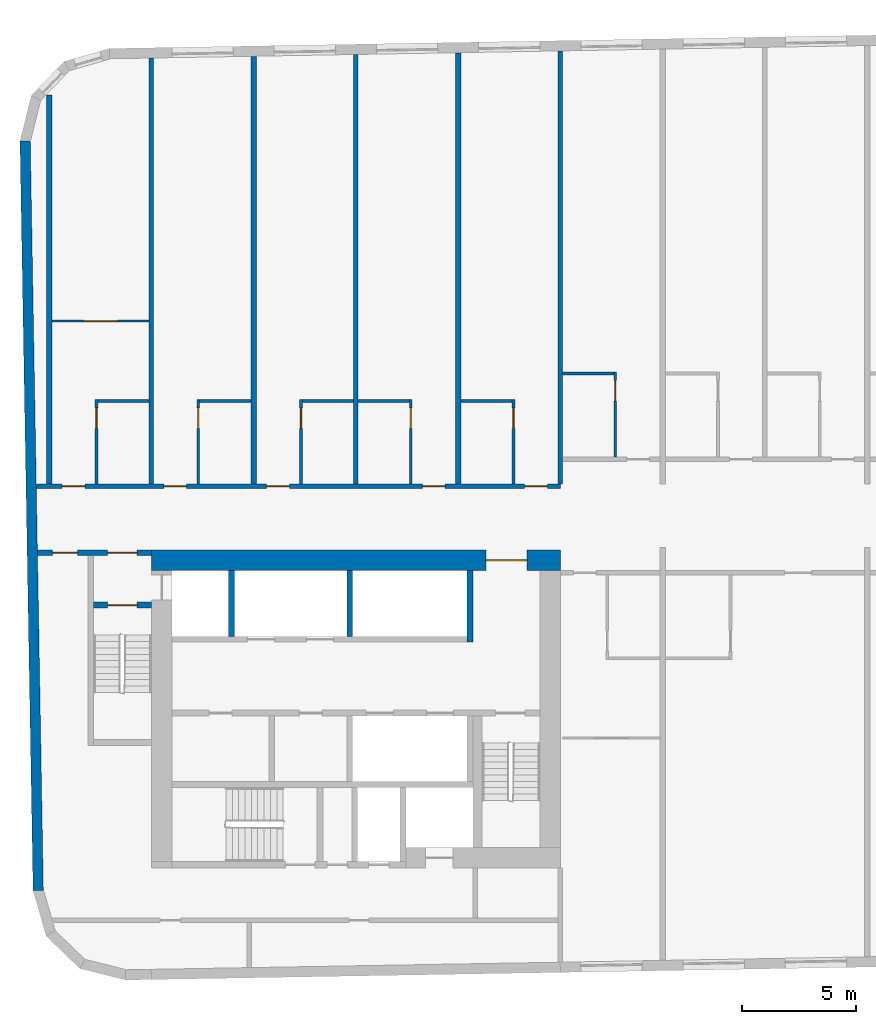
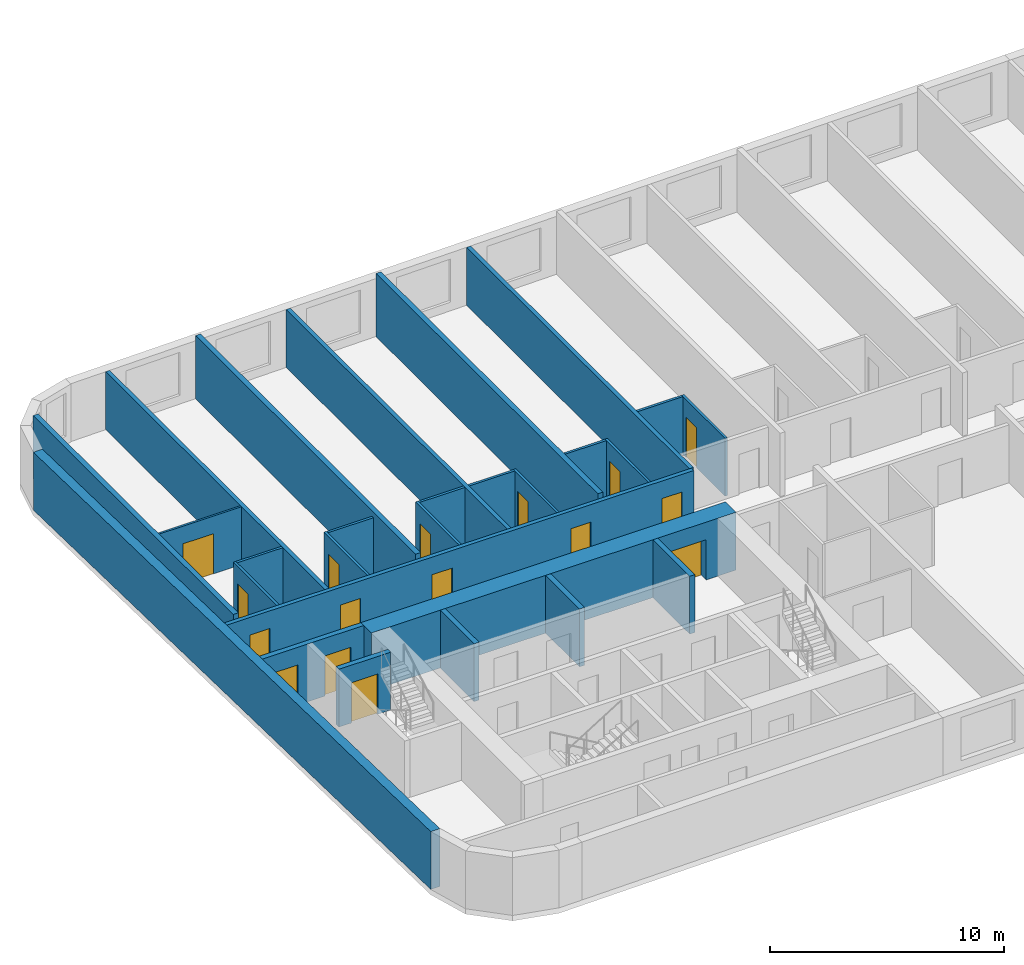
# One storey, part 3 of 11: 27 walls, 16 doors, 16 openings.
"""IFC4 building model written with IfcOpenShell, lengths in metres."""

from ifc_helpers import new_model, si_unit, direction, frame, frame_2d, origin, place, context, subcontext, project, spatial, rectangle, extrude, material, layer, layer_set, type_object, element, fill, save


model = new_model("IFC4")

# Units and contexts
model_context = context("Model", 3, precision=1e-05, world=origin(), true_north=direction((0.0, 1.0)))
body_context = subcontext(model_context, "Body", "Model", "MODEL_VIEW")
ifc_project = project(units=[si_unit("LENGTHUNIT", "METRE"), si_unit("AREAUNIT", "SQUARE_METRE"), si_unit("VOLUMEUNIT", "CUBIC_METRE"), si_unit("PLANEANGLEUNIT", "RADIAN"), si_unit("MASSUNIT", "GRAM", prefix="KILO")], contexts=[model_context])

# Site, building, storey
site_placement = place(None, origin())
site = spatial("IfcSite", under=ifc_project, at=site_placement, CompositionType="ELEMENT")
building_placement = place(site_placement, origin())
building = spatial("IfcBuilding", under=site, at=building_placement, Name="Kajstack Hotel Tower", CompositionType="ELEMENT")
storey_placement = place(building_placement, frame((0.0, 0.0, 240.800048828125)))
storey = spatial("IfcBuildingStorey", under=building, at=storey_placement, Name="L59", CompositionType="ELEMENT", Elevation=240.800048828125)

# Wall, opening, door
ifc_material_1 = material(Name="Concrete C60/75", Category="concrete")
ifc_layer_1 = layer(ifc_material_1, 0.89990234375)
ifc_layer_set_1 = layer_set([ifc_layer_1], Name="Core wall 900")
wall_type_1 = type_object("IfcWallType", Name="Core wall 900", PredefinedType="SHEAR", material=ifc_layer_set_1)
wall_1_placement = place(storey_placement, frame((-31.5, -1.949951171875, 0.0), z_axis=(0.0, 0.0, 1.0), x_axis=(1.0, 0.0, 0.0)))
wall_1 = element("IfcWall", 1, at=wall_1_placement, inside=storey, type_object=wall_type_1, Name="Core wall W RN", PredefinedType="SHEAR", context=body_context, shape_type="SweptSolid", body=[
    extrude(rectangle(XDim=18.0, YDim=0.89990234375, at=frame_2d((9.0, 0.0))), origin(), (0.0, 0.0, 1.0), 3.02001953125),
])
opening_1_placement = place(wall_1_placement, frame((14.72509765625, 0.0, 0.0)))
opening_1 = element("IfcOpeningElement", 2, at=opening_1_placement, cuts=wall_1, Name="Opening 59W07", PredefinedType="OPENING", context=body_context, shape_type="SweptSolid", body=[
    extrude(rectangle(XDim=1.800048828125, YDim=2.10009765625, at=frame_2d((0.89990234375, 1.050048828125))), frame((0.0, 0.4599609375, 0.0), z_axis=(0.0, -1.0, 0.0), x_axis=(1.0, 0.0, 0.0)), (0.0, 0.0, 1.0), 0.919921875),
])
ifc_material_2 = material(Name="Glazed steel frame, fire-rated glass", Category="steel")
door_type_1 = type_object("IfcDoorType", Name="Lobby double door 1800", OperationType="DOUBLE_DOOR_DOUBLE_SWING", PredefinedType="DOOR", material=ifc_material_2)
door_1_placement = place(opening_1_placement, origin())
door_1 = element("IfcDoor", 3, at=door_1_placement, inside=storey, type_object=door_type_1, Name="Door 59W07", OperationType="DOUBLE_DOOR_DOUBLE_SWING", OverallHeight=2.10009765625, OverallWidth=1.800048828125, PredefinedType="DOOR", context=body_context, shape_type="SweptSolid", body=[
    extrude(rectangle(XDim=1.800048828125, YDim=2.10009765625, at=frame_2d((0.89990234375, 1.050048828125))), frame((0.0, 0.02490234375, 0.0), z_axis=(0.0, -1.0, 0.0), x_axis=(1.0, 0.0, 0.0)), (0.0, 0.0, 1.0), 0.050048828125),
])
fill(opening_1, door_1)

# Wall, openings, doors
ifc_material_3 = material(Name="Gypsum board on steel studs, mineral wool", Category="steel")
ifc_layer_2 = layer(ifc_material_3, 0.199951171875)
ifc_layer_set_2 = layer_set([ifc_layer_2], Name="Corridor wall 200")
wall_type_2 = type_object("IfcWallType", Name="Corridor wall 200", PredefinedType="PARTITIONING", material=ifc_layer_set_2)
wall_2_placement = place(storey_placement, frame((-36.56591796875, 1.300048828125, 0.0), z_axis=(0.0, 0.0, 1.0), x_axis=(1.0, 0.0, 0.0)))
wall_2 = element("IfcWall", 4, at=wall_2_placement, inside=storey, type_object=wall_type_2, Name="G-wall-L59-003", PredefinedType="PARTITIONING", context=body_context, shape_type="SweptSolid", body=[
    extrude(rectangle(XDim=23.06591796875, YDim=0.199951171875, at=frame_2d((11.532958984375, 0.0))), origin(), (0.0, 0.0, 1.0), 3.02001953125),
])
opening_2_placement = place(wall_2_placement, frame((1.14111328125, 0.0, 0.0)))
opening_2 = element("IfcOpeningElement", 5, at=opening_2_placement, cuts=wall_2, Name="Opening 59001", PredefinedType="OPENING", context=body_context, shape_type="SweptSolid", body=[
    extrude(rectangle(XDim=1.0, YDim=2.10009765625, at=frame_2d((0.5, 1.050048828125))), frame((0.0, 0.10986328125, 0.0), z_axis=(0.0, -1.0, 0.0), x_axis=(1.0, 0.0, 0.0)), (0.0, 0.0, 1.0), 0.219970703125),
])
opening_3_placement = place(wall_2_placement, frame((5.615966796875, 0.0, 0.0)))
opening_3 = element("IfcOpeningElement", 6, at=opening_3_placement, cuts=wall_2, Name="Opening 59004", PredefinedType="OPENING", context=body_context, shape_type="SweptSolid", body=[
    extrude(rectangle(XDim=1.0, YDim=2.10009765625, at=frame_2d((0.5, 1.050048828125))), frame((0.0, 0.10986328125, 0.0), z_axis=(0.0, -1.0, 0.0), x_axis=(1.0, 0.0, 0.0)), (0.0, 0.0, 1.0), 0.219970703125),
])
opening_4_placement = place(wall_2_placement, frame((10.14111328125, 0.0, 0.0)))
opening_4 = element("IfcOpeningElement", 7, at=opening_4_placement, cuts=wall_2, Name="Opening 59006", PredefinedType="OPENING", context=body_context, shape_type="SweptSolid", body=[
    extrude(rectangle(XDim=1.0, YDim=2.10009765625, at=frame_2d((0.5, 1.050048828125))), frame((0.0, 0.10986328125, 0.0), z_axis=(0.0, -1.0, 0.0), x_axis=(1.0, 0.0, 0.0)), (0.0, 0.0, 1.0), 0.219970703125),
])
opening_5_placement = place(wall_2_placement, frame((16.990966796875, 0.0, 0.0)))
opening_5 = element("IfcOpeningElement", 8, at=opening_5_placement, cuts=wall_2, Name="Opening 59008", PredefinedType="OPENING", context=body_context, shape_type="SweptSolid", body=[
    extrude(rectangle(XDim=1.0, YDim=2.10009765625, at=frame_2d((0.5, 1.050048828125))), frame((0.0, 0.10986328125, 0.0), z_axis=(0.0, -1.0, 0.0), x_axis=(1.0, 0.0, 0.0)), (0.0, 0.0, 1.0), 0.219970703125),
])
opening_6_placement = place(wall_2_placement, frame((21.490966796875, 0.0, 0.0)))
opening_6 = element("IfcOpeningElement", 9, at=opening_6_placement, cuts=wall_2, Name="Opening 59010", PredefinedType="OPENING", context=body_context, shape_type="SweptSolid", body=[
    extrude(rectangle(XDim=1.0, YDim=2.10009765625, at=frame_2d((0.5, 1.050048828125))), frame((0.0, 0.10986328125, 0.0), z_axis=(0.0, -1.0, 0.0), x_axis=(1.0, 0.0, 0.0)), (0.0, 0.0, 1.0), 0.219970703125),
])
ifc_material_4 = material(Name="Oak veneer on timber core, fire-rated leaf", Category="wood")
door_type_2 = type_object("IfcDoorType", Name="Flat entrance door 1000", OperationType="SINGLE_SWING_LEFT", PredefinedType="DOOR", material=ifc_material_4)
door_2_placement = place(opening_2_placement, origin())
door_2 = element("IfcDoor", 10, at=door_2_placement, inside=storey, type_object=door_type_2, Name="G-door-L59-01", OperationType="SINGLE_SWING_LEFT", OverallHeight=2.10009765625, OverallWidth=1.0, PredefinedType="DOOR", context=body_context, shape_type="SweptSolid", body=[
    extrude(rectangle(XDim=1.0, YDim=2.10009765625, at=frame_2d((0.5, 1.050048828125))), frame((0.0, 0.02490234375, 0.0), z_axis=(0.0, -1.0, 0.0), x_axis=(1.0, 0.0, 0.0)), (0.0, 0.0, 1.0), 0.050048828125),
])
fill(opening_2, door_2)
door_3_placement = place(opening_3_placement, origin())
door_3 = element("IfcDoor", 11, at=door_3_placement, inside=storey, type_object=door_type_2, Name="G-door-L59-04", OperationType="SINGLE_SWING_LEFT", OverallHeight=2.10009765625, OverallWidth=1.0, PredefinedType="DOOR", context=body_context, shape_type="SweptSolid", body=[
    extrude(rectangle(XDim=1.0, YDim=2.10009765625, at=frame_2d((0.5, 1.050048828125))), frame((0.0, 0.02490234375, 0.0), z_axis=(0.0, -1.0, 0.0), x_axis=(1.0, 0.0, 0.0)), (0.0, 0.0, 1.0), 0.050048828125),
])
fill(opening_3, door_3)
door_4_placement = place(opening_4_placement, origin())
door_4 = element("IfcDoor", 12, at=door_4_placement, inside=storey, type_object=door_type_2, Name="G-door-L59-06", OperationType="SINGLE_SWING_RIGHT", OverallHeight=2.10009765625, OverallWidth=1.0, PredefinedType="DOOR", context=body_context, shape_type="SweptSolid", body=[
    extrude(rectangle(XDim=1.0, YDim=2.10009765625, at=frame_2d((0.5, 1.050048828125))), frame((0.0, 0.02490234375, 0.0), z_axis=(0.0, -1.0, 0.0), x_axis=(1.0, 0.0, 0.0)), (0.0, 0.0, 1.0), 0.050048828125),
])
fill(opening_4, door_4)
door_5_placement = place(opening_5_placement, origin())
door_5 = element("IfcDoor", 13, at=door_5_placement, inside=storey, type_object=door_type_2, Name="G-door-L59-08", OperationType="SINGLE_SWING_RIGHT", OverallHeight=2.10009765625, OverallWidth=1.0, PredefinedType="DOOR", context=body_context, shape_type="SweptSolid", body=[
    extrude(rectangle(XDim=1.0, YDim=2.10009765625, at=frame_2d((0.5, 1.050048828125))), frame((0.0, 0.02490234375, 0.0), z_axis=(0.0, -1.0, 0.0), x_axis=(1.0, 0.0, 0.0)), (0.0, 0.0, 1.0), 0.050048828125),
])
fill(opening_5, door_5)
door_6_placement = place(opening_6_placement, origin())
door_6 = element("IfcDoor", 14, at=door_6_placement, inside=storey, type_object=door_type_2, Name="G-door-L59-10", OperationType="SINGLE_SWING_LEFT", OverallHeight=2.10009765625, OverallWidth=1.0, PredefinedType="DOOR", context=body_context, shape_type="SweptSolid", body=[
    extrude(rectangle(XDim=1.0, YDim=2.10009765625, at=frame_2d((0.5, 1.050048828125))), frame((0.0, 0.02490234375, 0.0), z_axis=(0.0, -1.0, 0.0), x_axis=(1.0, 0.0, 0.0)), (0.0, 0.0, 1.0), 0.050048828125),
])
fill(opening_6, door_6)

# Walls
ifc_material_5 = material(Name="Twin-frame gypsum board on steel studs, mineral wool", Category="steel")
ifc_layer_3 = layer(ifc_material_5, 0.199951171875)
ifc_layer_set_3 = layer_set([ifc_layer_3], Name="Demising wall 200")
wall_type_3 = type_object("IfcWallType", Name="Demising wall 200", PredefinedType="PARTITIONING", material=ifc_layer_set_3)
wall_3_placement = place(storey_placement, frame((-31.5, 1.39990234375, 0.0), z_axis=(0.0, 0.0, 1.0), x_axis=(0.0, 1.0, 0.0)))
element("IfcWall", 15, at=wall_3_placement, inside=storey, type_object=wall_type_3, Name="G-wall-L59-005", PredefinedType="PARTITIONING", context=body_context, shape_type="SweptSolid", body=[
    extrude(rectangle(XDim=18.7509765625, YDim=0.199951171875, at=frame_2d((9.37548828125, 0.0))), origin(), (0.0, 0.0, 1.0), 3.02001953125),
])
wall_4_placement = place(storey_placement, frame((-22.5, 1.39990234375, 0.0), z_axis=(0.0, 0.0, 1.0), x_axis=(0.0, 1.0, 0.0)))
element("IfcWall", 16, at=wall_4_placement, inside=storey, type_object=wall_type_3, Name="G-wall-L59-011", PredefinedType="PARTITIONING", context=body_context, shape_type="SweptSolid", body=[
    extrude(rectangle(XDim=18.908203125, YDim=0.199951171875, at=frame_2d((9.4541015625, 0.0))), origin(), (0.0, 0.0, 1.0), 3.02001953125),
])
wall_5_placement = place(storey_placement, frame((-13.5, 1.39990234375, 0.0), z_axis=(0.0, 0.0, 1.0), x_axis=(0.0, 1.0, 0.0)))
element("IfcWall", 17, at=wall_5_placement, inside=storey, type_object=wall_type_3, Name="G-wall-L59-016", PredefinedType="PARTITIONING", context=body_context, shape_type="SweptSolid", body=[
    extrude(rectangle(XDim=19.065185546875, YDim=0.199951171875, at=frame_2d((9.53271484375, 0.0))), origin(), (0.0, 0.0, 1.0), 3.02001953125),
])
ifc_material_6 = material(Name="Terracotta-faced brick masonry", Category="masonry")
ifc_layer_4 = layer(ifc_material_6, 0.449951171875)
ifc_layer_set_4 = layer_set([ifc_layer_4], Name="EW-TERRA")
wall_type_4 = type_object("IfcWallType", Name="EW-TERRA", PredefinedType="SOLIDWALL", material=ifc_layer_set_4)
wall_6_placement = place(storey_placement, frame((-37.056884765625, 16.50341796875, 0.0), z_axis=(0.0, 0.0, 1.0), x_axis=(0.017452279857, -0.999847697366, 0.0)))
element("IfcWall", 18, at=wall_6_placement, inside=storey, type_object=wall_type_4, Name="E-wall-L59-00-00", PredefinedType="SOLIDWALL", context=body_context, shape_type="SweptSolid", body=[
    extrude(rectangle(XDim=33.000244140625, YDim=0.449951171875, at=frame_2d((16.5, 0.0))), origin(), (0.0, 0.0, 1.0), 3.02001953125),
])

# Wall, opening, door
ifc_material_7 = material(Name="Gypsum board and tiled backer on steel studs", Category="steel")
ifc_layer_5 = layer(ifc_material_7, 0.125)
ifc_layer_set_5 = layer_set([ifc_layer_5], Name="En-suite wall 125")
wall_type_5 = type_object("IfcWallType", Name="En-suite wall 125", PredefinedType="PARTITIONING", material=ifc_layer_set_5)
wall_7_placement = place(storey_placement, frame((-33.9130859375, 1.39990234375, 0.0), z_axis=(0.0, 0.0, 1.0), x_axis=(0.0, 1.0, 0.0)))
wall_7 = element("IfcWall", 19, at=wall_7_placement, inside=storey, type_object=wall_type_5, Name="G-wall-L59-006", PredefinedType="PARTITIONING", context=body_context, shape_type="SweptSolid", body=[
    extrude(rectangle(XDim=3.72509765625, YDim=0.125, at=frame_2d((1.862548828125, 0.0))), origin(), (0.0, 0.0, 1.0), 3.02001953125),
])
opening_7_placement = place(wall_7_placement, frame((2.449951171875, 0.0, 0.0)))
opening_7 = element("IfcOpeningElement", 20, at=opening_7_placement, cuts=wall_7, Name="Opening 59002", PredefinedType="OPENING", context=body_context, shape_type="SweptSolid", body=[
    extrude(rectangle(XDim=0.89990234375, YDim=2.10009765625, at=frame_2d((0.449951171875, 1.050048828125))), frame((0.0, 0.072509765625, 0.0), z_axis=(0.0, -1.0, 0.0), x_axis=(1.0, 0.0, 0.0)), (0.0, 0.0, 1.0), 0.14501953125),
])
ifc_material_8 = material(Name="Painted timber door leaf", Category="wood")
door_type_3 = type_object("IfcDoorType", Name="Room door 900", OperationType="SINGLE_SWING_LEFT", PredefinedType="DOOR", material=ifc_material_8)
door_7_placement = place(opening_7_placement, origin())
door_7 = element("IfcDoor", 21, at=door_7_placement, inside=storey, type_object=door_type_3, Name="G-door-L59-02", OperationType="SINGLE_SWING_LEFT", OverallHeight=2.10009765625, OverallWidth=0.89990234375, PredefinedType="DOOR", context=body_context, shape_type="SweptSolid", body=[
    extrude(rectangle(XDim=0.89990234375, YDim=2.10009765625, at=frame_2d((0.449951171875, 1.050048828125))), frame((0.0, 0.02490234375, 0.0), z_axis=(0.0, -1.0, 0.0), x_axis=(1.0, 0.0, 0.0)), (0.0, 0.0, 1.0), 0.050048828125),
])
fill(opening_7, door_7)

# Wall
wall_8_placement = place(storey_placement, frame((-33.85009765625, 5.06201171875, 0.0), z_axis=(0.0, 0.0, 1.0), x_axis=(1.0, 0.0, 0.0)))
element("IfcWall", 22, at=wall_8_placement, inside=storey, type_object=wall_type_5, Name="G-wall-L59-007", PredefinedType="PARTITIONING", context=body_context, shape_type="SweptSolid", body=[
    extrude(rectangle(XDim=2.25, YDim=0.125, at=frame_2d((1.125, 0.0))), origin(), (0.0, 0.0, 1.0), 3.02001953125),
])

# Wall, opening, door
wall_9_placement = place(storey_placement, frame((-29.43798828125, 1.39990234375, 0.0), z_axis=(0.0, 0.0, 1.0), x_axis=(0.0, 1.0, 0.0)))
wall_9 = element("IfcWall", 23, at=wall_9_placement, inside=storey, type_object=wall_type_5, Name="G-wall-L59-009", PredefinedType="PARTITIONING", context=body_context, shape_type="SweptSolid", body=[
    extrude(rectangle(XDim=3.72509765625, YDim=0.125, at=frame_2d((1.862548828125, 0.0))), origin(), (0.0, 0.0, 1.0), 3.02001953125),
])
opening_8_placement = place(wall_9_placement, frame((2.449951171875, 0.0, 0.0)))
opening_8 = element("IfcOpeningElement", 24, at=opening_8_placement, cuts=wall_9, Name="Opening 59005", PredefinedType="OPENING", context=body_context, shape_type="SweptSolid", body=[
    extrude(rectangle(XDim=0.89990234375, YDim=2.10009765625, at=frame_2d((0.449951171875, 1.050048828125))), frame((0.0, 0.072509765625, 0.0), z_axis=(0.0, -1.0, 0.0), x_axis=(1.0, 0.0, 0.0)), (0.0, 0.0, 1.0), 0.14501953125),
])
door_8_placement = place(opening_8_placement, origin())
door_8 = element("IfcDoor", 25, at=door_8_placement, inside=storey, type_object=door_type_3, Name="G-door-L59-05", OperationType="SINGLE_SWING_LEFT", OverallHeight=2.10009765625, OverallWidth=0.89990234375, PredefinedType="DOOR", context=body_context, shape_type="SweptSolid", body=[
    extrude(rectangle(XDim=0.89990234375, YDim=2.10009765625, at=frame_2d((0.449951171875, 1.050048828125))), frame((0.0, 0.02490234375, 0.0), z_axis=(0.0, -1.0, 0.0), x_axis=(1.0, 0.0, 0.0)), (0.0, 0.0, 1.0), 0.050048828125),
])
fill(opening_8, door_8)

# Wall
wall_10_placement = place(storey_placement, frame((-29.375, 5.06201171875, 0.0), z_axis=(0.0, 0.0, 1.0), x_axis=(1.0, 0.0, 0.0)))
element("IfcWall", 26, at=wall_10_placement, inside=storey, type_object=wall_type_5, Name="G-wall-L59-010", PredefinedType="PARTITIONING", context=body_context, shape_type="SweptSolid", body=[
    extrude(rectangle(XDim=2.25, YDim=0.125, at=frame_2d((1.125, 0.0))), origin(), (0.0, 0.0, 1.0), 3.02001953125),
])

# Wall, opening, door
wall_11_placement = place(storey_placement, frame((-24.9130859375, 1.39990234375, 0.0), z_axis=(0.0, 0.0, 1.0), x_axis=(0.0, 1.0, 0.0)))
wall_11 = element("IfcWall", 27, at=wall_11_placement, inside=storey, type_object=wall_type_5, Name="G-wall-L59-012", PredefinedType="PARTITIONING", context=body_context, shape_type="SweptSolid", body=[
    extrude(rectangle(XDim=3.72509765625, YDim=0.125, at=frame_2d((1.862548828125, 0.0))), origin(), (0.0, 0.0, 1.0), 3.02001953125),
])
opening_9_placement = place(wall_11_placement, frame((2.449951171875, 0.0, 0.0)))
opening_9 = element("IfcOpeningElement", 28, at=opening_9_placement, cuts=wall_11, Name="Opening 59007", PredefinedType="OPENING", context=body_context, shape_type="SweptSolid", body=[
    extrude(rectangle(XDim=0.89990234375, YDim=2.10009765625, at=frame_2d((0.449951171875, 1.050048828125))), frame((0.0, 0.072509765625, 0.0), z_axis=(0.0, -1.0, 0.0), x_axis=(1.0, 0.0, 0.0)), (0.0, 0.0, 1.0), 0.14501953125),
])
door_9_placement = place(opening_9_placement, origin())
door_9 = element("IfcDoor", 29, at=door_9_placement, inside=storey, type_object=door_type_3, Name="G-door-L59-07", OperationType="SINGLE_SWING_LEFT", OverallHeight=2.10009765625, OverallWidth=0.89990234375, PredefinedType="DOOR", context=body_context, shape_type="SweptSolid", body=[
    extrude(rectangle(XDim=0.89990234375, YDim=2.10009765625, at=frame_2d((0.449951171875, 1.050048828125))), frame((0.0, 0.02490234375, 0.0), z_axis=(0.0, -1.0, 0.0), x_axis=(1.0, 0.0, 0.0)), (0.0, 0.0, 1.0), 0.050048828125),
])
fill(opening_9, door_9)

# Wall
wall_12_placement = place(storey_placement, frame((-24.85009765625, 5.06201171875, 0.0), z_axis=(0.0, 0.0, 1.0), x_axis=(1.0, 0.0, 0.0)))
element("IfcWall", 30, at=wall_12_placement, inside=storey, type_object=wall_type_5, Name="G-wall-L59-013", PredefinedType="PARTITIONING", context=body_context, shape_type="SweptSolid", body=[
    extrude(rectangle(XDim=2.25, YDim=0.125, at=frame_2d((1.125, 0.0))), origin(), (0.0, 0.0, 1.0), 3.02001953125),
])

# Wall, opening, door
wall_13_placement = place(storey_placement, frame((-20.0869140625, 1.39990234375, 0.0), z_axis=(0.0, 0.0, 1.0), x_axis=(0.0, 1.0, 0.0)))
wall_13 = element("IfcWall", 31, at=wall_13_placement, inside=storey, type_object=wall_type_5, Name="G-wall-L59-014", PredefinedType="PARTITIONING", context=body_context, shape_type="SweptSolid", body=[
    extrude(rectangle(XDim=3.72509765625, YDim=0.125, at=frame_2d((1.862548828125, 0.0))), origin(), (0.0, 0.0, 1.0), 3.02001953125),
])
opening_10_placement = place(wall_13_placement, frame((2.449951171875, 0.0, 0.0)))
opening_10 = element("IfcOpeningElement", 32, at=opening_10_placement, cuts=wall_13, Name="Opening 59009", PredefinedType="OPENING", context=body_context, shape_type="SweptSolid", body=[
    extrude(rectangle(XDim=0.89990234375, YDim=2.10009765625, at=frame_2d((0.449951171875, 1.050048828125))), frame((0.0, 0.072509765625, 0.0), z_axis=(0.0, -1.0, 0.0), x_axis=(1.0, 0.0, 0.0)), (0.0, 0.0, 1.0), 0.14501953125),
])
door_10_placement = place(opening_10_placement, origin())
door_10 = element("IfcDoor", 33, at=door_10_placement, inside=storey, type_object=door_type_3, Name="G-door-L59-09", OperationType="SINGLE_SWING_LEFT", OverallHeight=2.10009765625, OverallWidth=0.89990234375, PredefinedType="DOOR", context=body_context, shape_type="SweptSolid", body=[
    extrude(rectangle(XDim=0.89990234375, YDim=2.10009765625, at=frame_2d((0.449951171875, 1.050048828125))), frame((0.0, 0.02490234375, 0.0), z_axis=(0.0, -1.0, 0.0), x_axis=(1.0, 0.0, 0.0)), (0.0, 0.0, 1.0), 0.050048828125),
])
fill(opening_10, door_10)

# Wall
wall_14_placement = place(storey_placement, frame((-22.39990234375, 5.06201171875, 0.0), z_axis=(0.0, 0.0, 1.0), x_axis=(1.0, 0.0, 0.0)))
element("IfcWall", 34, at=wall_14_placement, inside=storey, type_object=wall_type_5, Name="G-wall-L59-015", PredefinedType="PARTITIONING", context=body_context, shape_type="SweptSolid", body=[
    extrude(rectangle(XDim=2.25, YDim=0.125, at=frame_2d((1.125, 0.0))), origin(), (0.0, 0.0, 1.0), 3.02001953125),
])

# Wall, opening, door
wall_15_placement = place(storey_placement, frame((-15.56201171875, 1.39990234375, 0.0), z_axis=(0.0, 0.0, 1.0), x_axis=(0.0, 1.0, 0.0)))
wall_15 = element("IfcWall", 35, at=wall_15_placement, inside=storey, type_object=wall_type_5, Name="G-wall-L59-017", PredefinedType="PARTITIONING", context=body_context, shape_type="SweptSolid", body=[
    extrude(rectangle(XDim=3.72509765625, YDim=0.125, at=frame_2d((1.862548828125, 0.0))), origin(), (0.0, 0.0, 1.0), 3.02001953125),
])
opening_11_placement = place(wall_15_placement, frame((2.449951171875, 0.0, 0.0)))
opening_11 = element("IfcOpeningElement", 36, at=opening_11_placement, cuts=wall_15, Name="Opening 59011", PredefinedType="OPENING", context=body_context, shape_type="SweptSolid", body=[
    extrude(rectangle(XDim=0.89990234375, YDim=2.10009765625, at=frame_2d((0.449951171875, 1.050048828125))), frame((0.0, 0.072509765625, 0.0), z_axis=(0.0, -1.0, 0.0), x_axis=(1.0, 0.0, 0.0)), (0.0, 0.0, 1.0), 0.14501953125),
])
door_11_placement = place(opening_11_placement, origin())
door_11 = element("IfcDoor", 37, at=door_11_placement, inside=storey, type_object=door_type_3, Name="G-door-L59-11", OperationType="SINGLE_SWING_RIGHT", OverallHeight=2.10009765625, OverallWidth=0.89990234375, PredefinedType="DOOR", context=body_context, shape_type="SweptSolid", body=[
    extrude(rectangle(XDim=0.89990234375, YDim=2.10009765625, at=frame_2d((0.449951171875, 1.050048828125))), frame((0.0, 0.02490234375, 0.0), z_axis=(0.0, -1.0, 0.0), x_axis=(1.0, 0.0, 0.0)), (0.0, 0.0, 1.0), 0.050048828125),
])
fill(opening_11, door_11)

# Wall
wall_16_placement = place(storey_placement, frame((-17.875, 5.06201171875, 0.0), z_axis=(0.0, 0.0, 1.0), x_axis=(1.0, 0.0, 0.0)))
element("IfcWall", 38, at=wall_16_placement, inside=storey, type_object=wall_type_5, Name="G-wall-L59-018", PredefinedType="PARTITIONING", context=body_context, shape_type="SweptSolid", body=[
    extrude(rectangle(XDim=2.25, YDim=0.125, at=frame_2d((1.125, 0.0))), origin(), (0.0, 0.0, 1.0), 3.02001953125),
])

# Wall, opening, door
wall_17_placement = place(storey_placement, frame((-11.087890625, 2.60009765625, 0.0), z_axis=(0.0, 0.0, 1.0), x_axis=(0.0, 1.0, 0.0)))
wall_17 = element("IfcWall", 39, at=wall_17_placement, inside=storey, type_object=wall_type_5, Name="G-wall-L59-019", PredefinedType="PARTITIONING", context=body_context, shape_type="SweptSolid", body=[
    extrude(rectangle(XDim=3.724853515625, YDim=0.125, at=frame_2d((1.8623046875, 0.0))), origin(), (0.0, 0.0, 1.0), 3.02001953125),
])
opening_12_placement = place(wall_17_placement, frame((2.449951171875, 0.0, 0.0)))
opening_12 = element("IfcOpeningElement", 40, at=opening_12_placement, cuts=wall_17, Name="Opening 59013", PredefinedType="OPENING", context=body_context, shape_type="SweptSolid", body=[
    extrude(rectangle(XDim=0.89990234375, YDim=2.10009765625, at=frame_2d((0.449951171875, 1.050048828125))), frame((0.0, 0.072509765625, 0.0), z_axis=(0.0, -1.0, 0.0), x_axis=(1.0, 0.0, 0.0)), (0.0, 0.0, 1.0), 0.14501953125),
])
door_12_placement = place(opening_12_placement, origin())
door_12 = element("IfcDoor", 41, at=door_12_placement, inside=storey, type_object=door_type_3, Name="G-door-L59-13", OperationType="SINGLE_SWING_RIGHT", OverallHeight=2.10009765625, OverallWidth=0.89990234375, PredefinedType="DOOR", context=body_context, shape_type="SweptSolid", body=[
    extrude(rectangle(XDim=0.89990234375, YDim=2.10009765625, at=frame_2d((0.449951171875, 1.050048828125))), frame((0.0, 0.02490234375, 0.0), z_axis=(0.0, -1.0, 0.0), x_axis=(1.0, 0.0, 0.0)), (0.0, 0.0, 1.0), 0.050048828125),
])
fill(opening_12, door_12)

# Walls
wall_18_placement = place(storey_placement, frame((-13.39990234375, 6.262939453125, 0.0), z_axis=(0.0, 0.0, 1.0), x_axis=(1.0, 0.0, 0.0)))
element("IfcWall", 42, at=wall_18_placement, inside=storey, type_object=wall_type_5, Name="G-wall-L59-020", PredefinedType="PARTITIONING", context=body_context, shape_type="SweptSolid", body=[
    extrude(rectangle(XDim=2.25, YDim=0.125, at=frame_2d((1.125, 0.0))), origin(), (0.0, 0.0, 1.0), 3.02001953125),
])
ifc_material_9 = material(Name="Concrete C50/60", Category="concrete")
ifc_layer_6 = layer(ifc_material_9, 0.300048828125)
ifc_layer_set_6 = layer_set([ifc_layer_6], Name="Hoistway divider wall 300")
wall_type_6 = type_object("IfcWallType", Name="Hoistway divider wall 300", PredefinedType="SHEAR", material=ifc_layer_set_6)
wall_19_placement = place(storey_placement, frame((-22.77490234375, -5.300048828125, 0.0), z_axis=(0.0, 0.0, 1.0), x_axis=(0.0, 1.0, 0.0)))
element("IfcWall", 43, at=wall_19_placement, inside=storey, type_object=wall_type_6, Name="Core wall W AP2", PredefinedType="SHEAR", context=body_context, shape_type="SweptSolid", body=[
    extrude(rectangle(XDim=2.900146484375, YDim=0.25, at=frame_2d((1.4501953125, 0.0))), origin(), (0.0, 0.0, 1.0), 3.02001953125),
])

# Wall, opening, door
ifc_material_10 = material(Name="Gypsum board on steel studs", Category="steel")
ifc_layer_7 = layer(ifc_material_10, 0.10009765625)
ifc_layer_set_7 = layer_set([ifc_layer_7], Name="Partition 100")
wall_type_7 = type_object("IfcWallType", Name="Partition 100", PredefinedType="PARTITIONING", material=ifc_layer_set_7)
wall_20_placement = place(storey_placement, frame((-35.875, 8.574951171875, 0.0), z_axis=(0.0, 0.0, 1.0), x_axis=(1.0, 0.0, 0.0)))
wall_20 = element("IfcWall", 44, at=wall_20_placement, inside=storey, type_object=wall_type_7, Name="G-wall-L59-008", PredefinedType="PARTITIONING", context=body_context, shape_type="SweptSolid", body=[
    extrude(rectangle(XDim=4.27490234375, YDim=0.10009765625, at=frame_2d((2.137451171875, 0.0))), origin(), (0.0, 0.0, 1.0), 3.02001953125),
])
opening_13_placement = place(wall_20_placement, frame((1.387939453125, 0.0, 0.0)))
opening_13 = element("IfcOpeningElement", 45, at=opening_13_placement, cuts=wall_20, Name="Opening 59003", PredefinedType="OPENING", context=body_context, shape_type="SweptSolid", body=[
    extrude(rectangle(XDim=1.5, YDim=2.10009765625, at=frame_2d((0.75, 1.050048828125))), frame((0.0, 0.06005859375, 0.0), z_axis=(0.0, -1.0, 0.0), x_axis=(1.0, 0.0, 0.0)), (0.0, 0.0, 1.0), 0.1201171875),
])
ifc_material_11 = material(Name="Painted timber door leaves, glazed panels", Category="wood")
door_type_4 = type_object("IfcDoorType", Name="Double door 1500", OperationType="SINGLE_SWING_LEFT", PredefinedType="DOOR", material=ifc_material_11)
door_13_placement = place(opening_13_placement, origin())
door_13 = element("IfcDoor", 46, at=door_13_placement, inside=storey, type_object=door_type_4, Name="G-door-L59-03", OperationType="SINGLE_SWING_RIGHT", OverallHeight=2.10009765625, OverallWidth=1.5, PredefinedType="DOOR", context=body_context, shape_type="SweptSolid", body=[
    extrude(rectangle(XDim=1.5, YDim=2.10009765625, at=frame_2d((0.75, 1.050048828125))), frame((0.0, 0.02490234375, 0.0), z_axis=(0.0, -1.0, 0.0), x_axis=(1.0, 0.0, 0.0)), (0.0, 0.0, 1.0), 0.050048828125),
])
fill(opening_13, door_13)

# Walls
ifc_material_12 = material(Name="Concrete C45/55", Category="concrete")
ifc_layer_8 = layer(ifc_material_12, 0.25)
ifc_layer_set_8 = layer_set([ifc_layer_8], Name="RC cross wall 250 C45/55")
wall_type_8 = type_object("IfcWallType", Name="RC cross wall 250 C45/55", PredefinedType="SHEAR", material=ifc_layer_set_8)
wall_21_placement = place(storey_placement, frame((-36.0, 1.39990234375, 0.0), z_axis=(0.0, 0.0, 1.0), x_axis=(0.0, 1.0, 0.0)))
element("IfcWall", 47, at=wall_21_placement, inside=storey, type_object=wall_type_8, Name="S-wall-L59-01", PredefinedType="SHEAR", context=body_context, shape_type="SweptSolid", body=[
    extrude(rectangle(XDim=17.12548828125, YDim=0.25, at=frame_2d((8.562744140625, 0.0))), origin(), (0.0, 0.0, 1.0), 3.300048828125),
])
wall_22_placement = place(storey_placement, frame((-27.0, 1.39990234375, 0.0), z_axis=(0.0, 0.0, 1.0), x_axis=(0.0, 1.0, 0.0)))
element("IfcWall", 48, at=wall_22_placement, inside=storey, type_object=wall_type_8, Name="S-wall-L59-02", PredefinedType="SHEAR", context=body_context, shape_type="SweptSolid", body=[
    extrude(rectangle(XDim=18.8173828125, YDim=0.25, at=frame_2d((9.40869140625, 0.0))), origin(), (0.0, 0.0, 1.0), 3.300048828125),
])
wall_23_placement = place(storey_placement, frame((-18.0, 1.39990234375, 0.0), z_axis=(0.0, 0.0, 1.0), x_axis=(0.0, 1.0, 0.0)))
element("IfcWall", 49, at=wall_23_placement, inside=storey, type_object=wall_type_8, Name="S-wall-L59-03", PredefinedType="SHEAR", context=body_context, shape_type="SweptSolid", body=[
    extrude(rectangle(XDim=18.974365234375, YDim=0.25, at=frame_2d((9.4873046875, 0.0))), origin(), (0.0, 0.0, 1.0), 3.300048828125),
])

# Wall, openings, doors
ifc_layer_9 = layer(ifc_material_3, 0.199951171875)
ifc_layer_set_9 = layer_set([ifc_layer_9], Name="Service partition 200")
wall_type_9 = type_object("IfcWallType", Name="Service partition 200", PredefinedType="PARTITIONING", material=ifc_layer_set_9)
wall_24_placement = place(storey_placement, frame((-36.515380859375, -1.625, 0.0), z_axis=(0.0, 0.0, 1.0), x_axis=(1.0, 0.0, 0.0)))
wall_24 = element("IfcWall", 50, at=wall_24_placement, inside=storey, type_object=wall_type_9, Name="Partition W SN", PredefinedType="PARTITIONING", context=body_context, shape_type="SweptSolid", body=[
    extrude(rectangle(XDim=5.015380859375, YDim=0.25, at=frame_2d((2.5078125, 0.0))), origin(), (0.0, 0.0, 1.0), 3.02001953125),
])
opening_14_placement = place(wall_24_placement, frame((3.09033203125, 0.0, 0.0)))
opening_14 = element("IfcOpeningElement", 51, at=opening_14_placement, cuts=wall_24, Name="Opening 59W08", PredefinedType="OPENING", context=body_context, shape_type="SweptSolid", body=[
    extrude(rectangle(XDim=1.300048828125, YDim=2.10009765625, at=frame_2d((0.64990234375, 1.050048828125))), frame((0.0, 0.135009765625, 0.0), z_axis=(0.0, -1.0, 0.0), x_axis=(1.0, 0.0, 0.0)), (0.0, 0.0, 1.0), 0.27001953125),
])
opening_15_placement = place(wall_24_placement, frame((0.665283203125, 0.0, 0.0)))
opening_15 = element("IfcOpeningElement", 52, at=opening_15_placement, cuts=wall_24, Name="Opening 59W10", PredefinedType="OPENING", context=body_context, shape_type="SweptSolid", body=[
    extrude(rectangle(XDim=1.10009765625, YDim=2.10009765625, at=frame_2d((0.550048828125, 1.050048828125))), frame((0.0, 0.135009765625, 0.0), z_axis=(0.0, -1.0, 0.0), x_axis=(1.0, 0.0, 0.0)), (0.0, 0.0, 1.0), 0.27001953125),
])
ifc_material_13 = material(Name="Steel leaf, fire-rated", Category="steel")
door_type_5 = type_object("IfcDoorType", Name="Fire lobby door 1300", OperationType="SINGLE_SWING_LEFT", PredefinedType="DOOR", material=ifc_material_13)
door_14_placement = place(opening_14_placement, origin())
door_14 = element("IfcDoor", 53, at=door_14_placement, inside=storey, type_object=door_type_5, Name="Door 59W08", OperationType="SINGLE_SWING_RIGHT", OverallHeight=2.10009765625, OverallWidth=1.300048828125, PredefinedType="DOOR", context=body_context, shape_type="SweptSolid", body=[
    extrude(rectangle(XDim=1.300048828125, YDim=2.10009765625, at=frame_2d((0.64990234375, 1.050048828125))), frame((0.0, 0.02490234375, 0.0), z_axis=(0.0, -1.0, 0.0), x_axis=(1.0, 0.0, 0.0)), (0.0, 0.0, 1.0), 0.050048828125),
])
fill(opening_14, door_14)
ifc_material_14 = material(Name="Timber leaf, fire-rated", Category="wood")
door_type_6 = type_object("IfcDoorType", Name="Service corridor door 1100", OperationType="SINGLE_SWING_LEFT", PredefinedType="DOOR", material=ifc_material_14)
door_15_placement = place(opening_15_placement, origin())
door_15 = element("IfcDoor", 54, at=door_15_placement, inside=storey, type_object=door_type_6, Name="Door 59W10", OperationType="SINGLE_SWING_RIGHT", OverallHeight=2.10009765625, OverallWidth=1.10009765625, PredefinedType="DOOR", context=body_context, shape_type="SweptSolid", body=[
    extrude(rectangle(XDim=1.10009765625, YDim=2.10009765625, at=frame_2d((0.550048828125, 1.050048828125))), frame((0.0, 0.02490234375, 0.0), z_axis=(0.0, -1.0, 0.0), x_axis=(1.0, 0.0, 0.0)), (0.0, 0.0, 1.0), 0.050048828125),
])
fill(opening_15, door_15)

# Walls
ifc_layer_10 = layer(ifc_material_9, 0.25)
ifc_layer_set_10 = layer_set([ifc_layer_10], Name="Shaft wall 250")
wall_type_10 = type_object("IfcWallType", Name="Shaft wall 250", PredefinedType="SHEAR", material=ifc_layer_set_10)
wall_25_placement = place(storey_placement, frame((-17.47509765625, -5.550048828125, 0.0), z_axis=(0.0, 0.0, 1.0), x_axis=(0.0, 1.0, 0.0)))
element("IfcWall", 55, at=wall_25_placement, inside=storey, type_object=wall_type_10, Name="Core wall W AE", PredefinedType="SHEAR", context=body_context, shape_type="SweptSolid", body=[
    extrude(rectangle(XDim=3.150146484375, YDim=0.25, at=frame_2d((1.5751953125, 0.0))), origin(), (0.0, 0.0, 1.0), 3.02001953125),
])
wall_26_placement = place(storey_placement, frame((-27.97509765625, -5.300048828125, 0.0), z_axis=(0.0, 0.0, 1.0), x_axis=(0.0, 1.0, 0.0)))
element("IfcWall", 56, at=wall_26_placement, inside=storey, type_object=wall_type_10, Name="Core wall W AP0", PredefinedType="SHEAR", context=body_context, shape_type="SweptSolid", body=[
    extrude(rectangle(XDim=2.900146484375, YDim=0.25, at=frame_2d((1.4501953125, 0.0))), origin(), (0.0, 0.0, 1.0), 3.02001953125),
])

# Wall, opening, door
ifc_material_15 = material(Name="Concrete C40/50", Category="concrete")
ifc_layer_11 = layer(ifc_material_15, 0.25)
ifc_layer_set_11 = layer_set([ifc_layer_11], Name="Stair enclosure wall 250")
wall_type_11 = type_object("IfcWallType", Name="Stair enclosure wall 250", PredefinedType="SHEAR", material=ifc_layer_set_11)
wall_27_placement = place(storey_placement, frame((-34.050048828125, -3.925048828125, 0.0), z_axis=(0.0, 0.0, 1.0), x_axis=(1.0, 0.0, 0.0)))
wall_27 = element("IfcWall", 57, at=wall_27_placement, inside=storey, type_object=wall_type_11, Name="Core wall W W1N", PredefinedType="SHEAR", context=body_context, shape_type="SweptSolid", body=[
    extrude(rectangle(XDim=2.550048828125, YDim=0.25, at=frame_2d((1.27490234375, 0.0))), origin(), (0.0, 0.0, 1.0), 3.02001953125),
])
opening_16_placement = place(wall_27_placement, frame((0.625, 0.0, 0.0)))
opening_16 = element("IfcOpeningElement", 58, at=opening_16_placement, cuts=wall_27, Name="Opening 59W09", PredefinedType="OPENING", context=body_context, shape_type="SweptSolid", body=[
    extrude(rectangle(XDim=1.300048828125, YDim=2.10009765625, at=frame_2d((0.64990234375, 1.050048828125))), frame((0.0, 0.135009765625, 0.0), z_axis=(0.0, -1.0, 0.0), x_axis=(1.0, 0.0, 0.0)), (0.0, 0.0, 1.0), 0.27001953125),
])
door_type_7 = type_object("IfcDoorType", Name="Stair door 1300", OperationType="SINGLE_SWING_LEFT", PredefinedType="DOOR", material=ifc_material_13)
door_16_placement = place(opening_16_placement, origin())
door_16 = element("IfcDoor", 59, at=door_16_placement, inside=storey, type_object=door_type_7, Name="Door 59W09", OperationType="SINGLE_SWING_RIGHT", OverallHeight=2.10009765625, OverallWidth=1.300048828125, PredefinedType="DOOR", context=body_context, shape_type="SweptSolid", body=[
    extrude(rectangle(XDim=1.300048828125, YDim=2.10009765625, at=frame_2d((0.64990234375, 1.050048828125))), frame((0.0, 0.02490234375, 0.0), z_axis=(0.0, -1.0, 0.0), x_axis=(1.0, 0.0, 0.0)), (0.0, 0.0, 1.0), 0.050048828125),
])
fill(opening_16, door_16)

save(model, "model.ifc")
